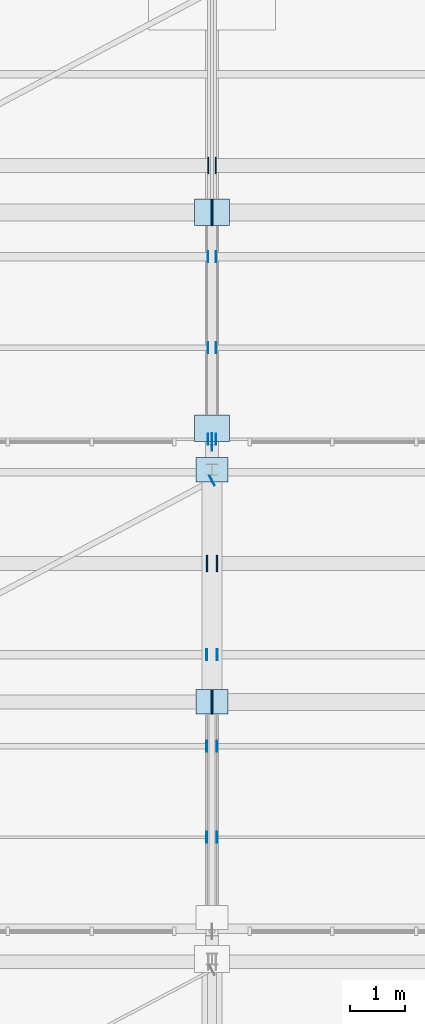
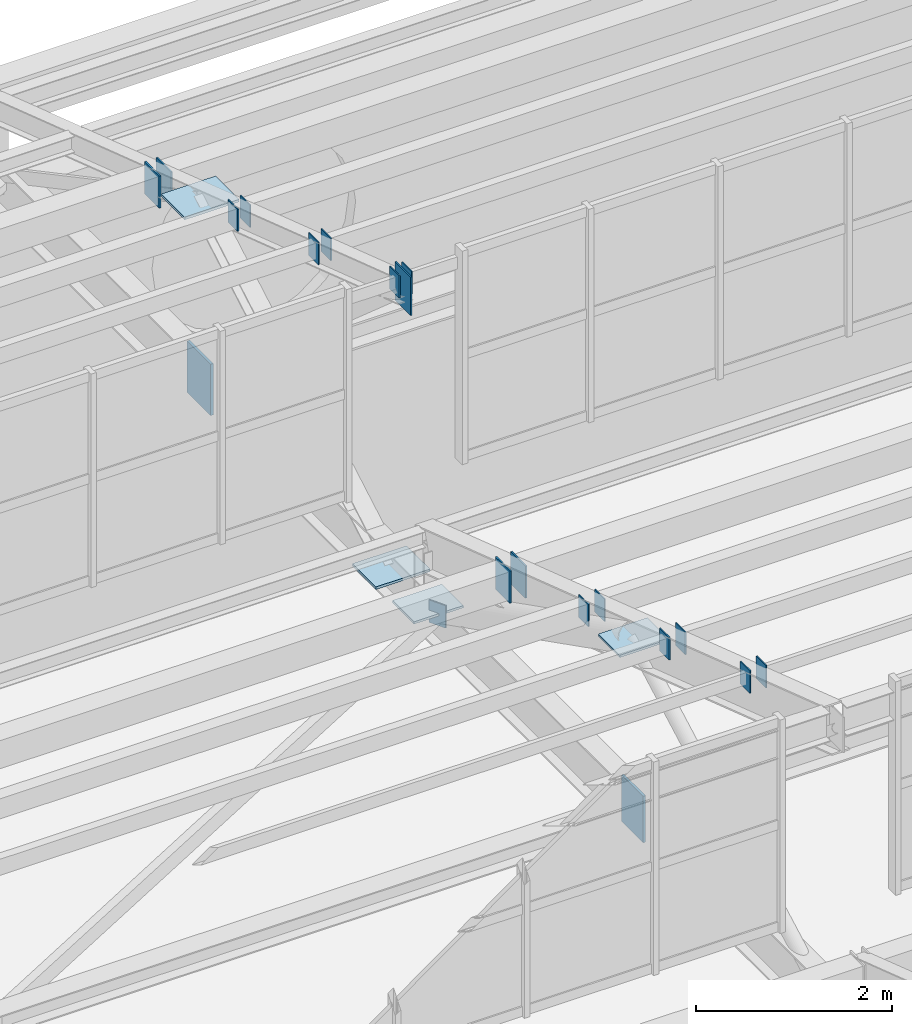
# One storey, part 243 of 285: 24 plates.
"""IFC4 building model written with IfcOpenShell, lengths in metres."""

from ifc_helpers import new_model, si_unit, direction, frame, origin, origin_2d, place, context, subcontext, project, spatial, rectangle, extrude, material, layer, layer_set, type_object, element, save


model = new_model("IFC4")

# Units and contexts
model_context = context("Model", 3, precision=1e-05, world=origin(), true_north=direction((0.0, 1.0)))
body_context = subcontext(model_context, "Body", "Model", "MODEL_VIEW")
ifc_project = project(units=[si_unit("LENGTHUNIT", "METRE"), si_unit("AREAUNIT", "SQUARE_METRE"), si_unit("VOLUMEUNIT", "CUBIC_METRE"), si_unit("PLANEANGLEUNIT", "RADIAN"), si_unit("MASSUNIT", "GRAM", prefix="KILO")], contexts=[model_context])

# Site, building, storey
site_placement = place(None, origin())
site = spatial("IfcSite", under=ifc_project, at=site_placement, CompositionType="ELEMENT")
building_placement = place(site_placement, origin())
building = spatial("IfcBuilding", under=site, at=building_placement, Name="Solanera Park Tramway Depot", CompositionType="ELEMENT")
storey_placement = place(building_placement, origin())
storey = spatial("IfcBuildingStorey", under=building, at=storey_placement, Name="L00", CompositionType="ELEMENT", Elevation=0.0)

# Plates
ifc_material_1 = material(Name="Steel AS/NZS 3679.1 Grade 350", Category="steel")
ifc_layer_1 = layer(ifc_material_1, 0.013916015625)
ifc_layer_set_1 = layer_set([ifc_layer_1], Name="Steel AS/NZS 3679.1 Grade 350")
plate_type_1 = type_object("IfcPlateType", Name="Hollow End Cap and Base Plate 280x200x14", PredefinedType="USERDEFINED", material=ifc_layer_set_1)
for number, where, z_axis, x_axis, name in (
    (1, (104.90625, 128.25, 9.5146484375), (0.0, 0.0, 1.0), (1.0, 0.0, 0.0), "Hollow Section Welded End Cap Plate #0951"),
    (2, (105.09375, 128.25, 9.5146484375), (0.0, 0.0, 1.0), (1.0, 0.0, 0.0), "Hollow Section Welded End Cap Plate #0952"),
    (3, (104.90625, 129.89990234375, 8.92919921875), (0.0, 0.0, 1.0), (1.0, 0.0, 0.0), "Hollow Section Welded End Cap Plate #0963"),
    (4, (105.09375, 129.89990234375, 8.92919921875), (0.0, 0.0, 1.0), (1.0, 0.0, 0.0), "Hollow Section Welded End Cap Plate #0964"),
    (5, (104.90625, 131.550048828125, 8.34375), (0.0, 0.0, 1.0), (1.0, 0.0, 0.0), "Hollow Section Welded End Cap Plate #0975"),
    (6, (105.09375, 131.550048828125, 8.34375), (0.0, 0.0, 1.0), (1.0, 0.0, 0.0), "Hollow Section Welded End Cap Plate #0976"),
    (7, (105.000732421875, 134.701416015625, 6.35986328125), (0.0, 0.0, 1.0), (0.883520501477, 0.468392488698, 0.0), "Hollow Section Welded End Cap Plate #0999"),
    (8, (104.927978515625, 135.449951171875, 10.06689453125), (0.0, 0.0, 1.0), (1.0, 0.0, 0.0), "Hollow Section Welded End Cap Plate #1049"),
    (9, (105.072021484375, 135.449951171875, 10.06689453125), (0.0, 0.0, 1.0), (1.0, 0.0, 0.0), "Hollow Section Welded End Cap Plate #1050"),
    (10, (104.927978515625, 137.10009765625, 9.4814453125), (0.0, 0.0, 1.0), (1.0, 0.0, 0.0), "Hollow Section Welded End Cap Plate #1061"),
    (11, (105.072021484375, 137.10009765625, 9.4814453125), (0.0, 0.0, 1.0), (1.0, 0.0, 0.0), "Hollow Section Welded End Cap Plate #1062"),
    (12, (104.927978515625, 138.75, 8.89599609375), (0.0, 0.0, 1.0), (1.0, 0.0, 0.0), "Hollow Section Welded End Cap Plate #1073"),
    (13, (105.072021484375, 138.75, 8.89599609375), (0.0, 0.0, 1.0), (1.0, 0.0, 0.0), "Hollow Section Welded End Cap Plate #1074"),
):
    element("IfcPlate", number, at=place(storey_placement, frame(where, z_axis=z_axis, x_axis=x_axis)), inside=storey, type_object=plate_type_1, Name=name, ObjectType="BASE PLATE", PredefinedType="USERDEFINED", context=body_context, shape_type="SweptSolid", body=[
        extrude(rectangle(XDim=0.013916015625, YDim=0.199951171875, at=origin_2d()), origin(), (0.0, 0.0, 1.0), 0.280029296875),
    ])
ifc_material_2 = material(Name="Steel AS/NZS 3679.1 Grade 350", Category="steel")
ifc_layer_2 = layer(ifc_material_2, 0.02001953125)
ifc_layer_set_2 = layer_set([ifc_layer_2], Name="Steel AS/NZS 3679.1 Grade 350")
plate_type_2 = type_object("IfcPlateType", Name="Hollow End Cap and Base Plate 400x300x20", PredefinedType="USERDEFINED", material=ifc_layer_set_2)
for number, where, z_axis, x_axis, name in (
    (14, (104.9091796875, 133.199951171875, 7.6650390625), (0.0, 0.0, 1.0), (1.0, 0.0, 0.0), "Hollow Section Welded End Cap Plate #0987"),
    (15, (105.0908203125, 133.199951171875, 7.6650390625), (0.0, 0.0, 1.0), (1.0, 0.0, 0.0), "Hollow Section Welded End Cap Plate #0988"),
    (16, (104.930908203125, 140.39990234375, 8.217041015625), (0.0, 0.0, 1.0), (1.0, 0.0, 0.0), "Hollow Section Welded End Cap Plate #1085"),
    (17, (105.069091796875, 140.39990234375, 8.217041015625), (0.0, 0.0, 1.0), (1.0, 0.0, 0.0), "Hollow Section Welded End Cap Plate #1086"),
):
    element("IfcPlate", number, at=place(storey_placement, frame(where, z_axis=z_axis, x_axis=x_axis)), inside=storey, type_object=plate_type_2, Name=name, ObjectType="BASE PLATE", PredefinedType="USERDEFINED", context=body_context, shape_type="SweptSolid", body=[
        extrude(rectangle(XDim=0.02001953125, YDim=0.300048828125, at=origin_2d()), origin(), (0.0, 0.0, 1.0), 0.39990234375),
    ])
ifc_material_3 = material(Name="Steel AS/NZS 3679.1 Grade 350", Category="steel")
ifc_layer_3 = layer(ifc_material_3, 0.028076171875)
ifc_layer_set_3 = layer_set([ifc_layer_3], Name="Steel AS/NZS 3679.1 Grade 350")
plate_type_3 = type_object("IfcPlateType", Name="Hollow End Cap and Base Plate 580x440x28", PredefinedType="USERDEFINED", material=ifc_layer_set_3)
plate_1_placement = place(storey_placement, frame((105.0, 130.699951171875, 6.2099609375), z_axis=(0.0, 0.0, 1.0), x_axis=(1.0, 0.0, 0.0)))
element("IfcPlate", 18, at=plate_1_placement, inside=storey, type_object=plate_type_3, Name="Sawtooth Truss Hollow End Cap #0930", ObjectType="BASE PLATE", PredefinedType="USERDEFINED", context=body_context, shape_type="SweptSolid", body=[
    extrude(rectangle(XDim=0.028076171875, YDim=0.43994140625, at=origin_2d()), origin(), (0.0, 0.0, 1.0), 0.580078125),
])
for number, where, z_axis, x_axis, name in (
    (19, (105.0, 134.89990234375, 6.48583984375), (0.0, 0.0, 1.0), (1.0, 0.0, 0.0), "Sawtooth Truss Node Cap Plate #0931"),
    (20, (105.0, 130.699951171875, 8.61572265625), (0.0, 0.0, 1.0), (1.0, 0.0, 0.0), "Sawtooth Truss Node Cap Plate #0932"),
):
    element("IfcPlate", number, at=place(storey_placement, frame(where, z_axis=z_axis, x_axis=x_axis)), inside=storey, type_object=plate_type_3, Name=name, ObjectType="BASE PLATE", PredefinedType="USERDEFINED", context=body_context, shape_type="SweptSolid", body=[
        extrude(rectangle(XDim=0.580078125, YDim=0.43994140625, at=origin_2d()), origin(), (0.0, 0.0, 1.0), 0.028076171875),
    ])
ifc_material_4 = material(Name="Steel AS/NZS 3679.1 Grade 350", Category="steel")
ifc_layer_4 = layer(ifc_material_4, 0.031982421875)
ifc_layer_set_4 = layer_set([ifc_layer_4], Name="Steel AS/NZS 3679.1 Grade 350")
plate_type_4 = type_object("IfcPlateType", Name="Hollow End Cap and Base Plate 640x480x32", PredefinedType="USERDEFINED", material=ifc_layer_set_4)
plate_2_placement = place(storey_placement, frame((105.0, 139.550048828125, 6.18017578125), z_axis=(0.0, 0.0, 1.0), x_axis=(1.0, 0.0, 0.0)))
element("IfcPlate", 21, at=plate_2_placement, inside=storey, type_object=plate_type_4, Name="Sawtooth Truss Hollow End Cap #1028", ObjectType="BASE PLATE", PredefinedType="USERDEFINED", context=body_context, shape_type="SweptSolid", body=[
    extrude(rectangle(XDim=0.031982421875, YDim=0.47998046875, at=origin_2d()), origin(), (0.0, 0.0, 1.0), 0.639892578125),
])
for number, where, z_axis, x_axis, name in (
    (22, (105.0, 139.550048828125, 8.7265625), (0.0, 0.0, 1.0), (1.0, 0.0, 0.0), "Sawtooth Truss Node Cap Plate #1030"),
    (23, (105.0, 135.64990234375, 6.48388671875), (0.0, 0.0, 1.0), (1.0, 0.0, 0.0), "Sawtooth Truss Node Cap Plate #1031"),
):
    element("IfcPlate", number, at=place(storey_placement, frame(where, z_axis=z_axis, x_axis=x_axis)), inside=storey, type_object=plate_type_4, Name=name, ObjectType="BASE PLATE", PredefinedType="USERDEFINED", context=body_context, shape_type="SweptSolid", body=[
        extrude(rectangle(XDim=0.639892578125, YDim=0.47998046875, at=origin_2d()), origin(), (0.0, 0.0, 1.0), 0.031982421875),
    ])
ifc_material_5 = material(Name="Steel AS/NZS 3679.1 Grade 350", Category="steel")
ifc_layer_5 = layer(ifc_material_5, 0.01806640625)
ifc_layer_set_5 = layer_set([ifc_layer_5], Name="Steel AS/NZS 3679.1 Grade 350")
plate_type_5 = type_object("IfcPlateType", Name="Truss Node Gusset Stiffener 480x320x18", PredefinedType="SHEET", material=ifc_layer_set_5)
plate_3_placement = place(storey_placement, frame((105.0, 135.39990234375, 9.89111328125), z_axis=(0.0, 0.0, 1.0), x_axis=(1.0, 0.0, 0.0)))
element("IfcPlate", 24, at=plate_3_placement, inside=storey, type_object=plate_type_5, Name="Sawtooth Truss Apex Gusset Plate #1027", PredefinedType="SHEET", context=body_context, shape_type="SweptSolid", body=[
    extrude(rectangle(XDim=0.01806640625, YDim=0.320068359375, at=origin_2d()), origin(), (0.0, 0.0, 1.0), 0.47998046875),
])

save(model, "model.ifc")
